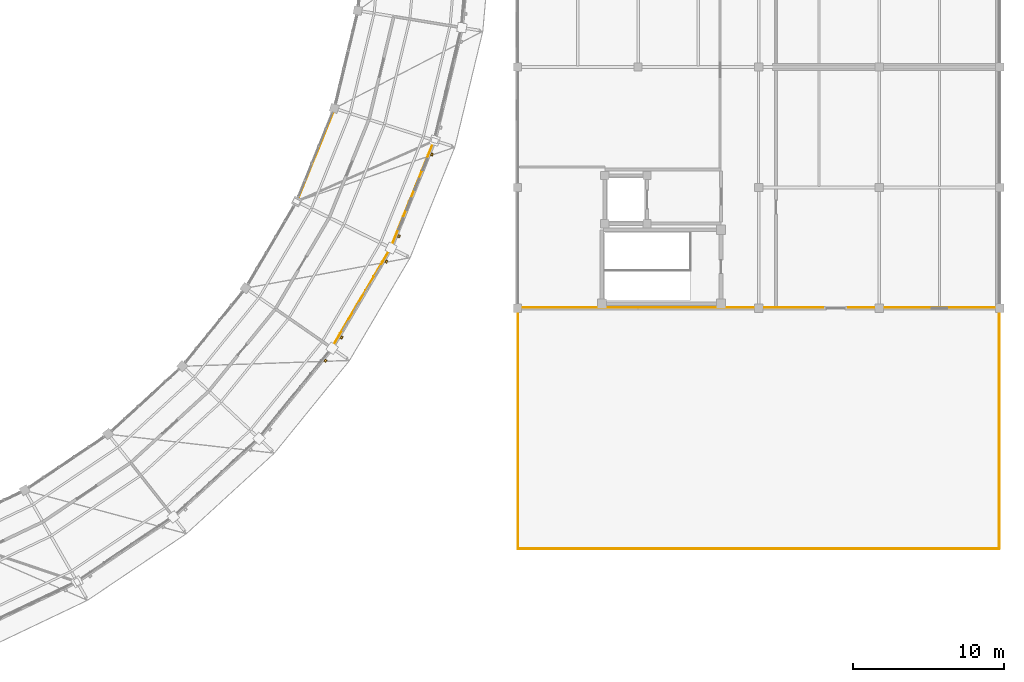
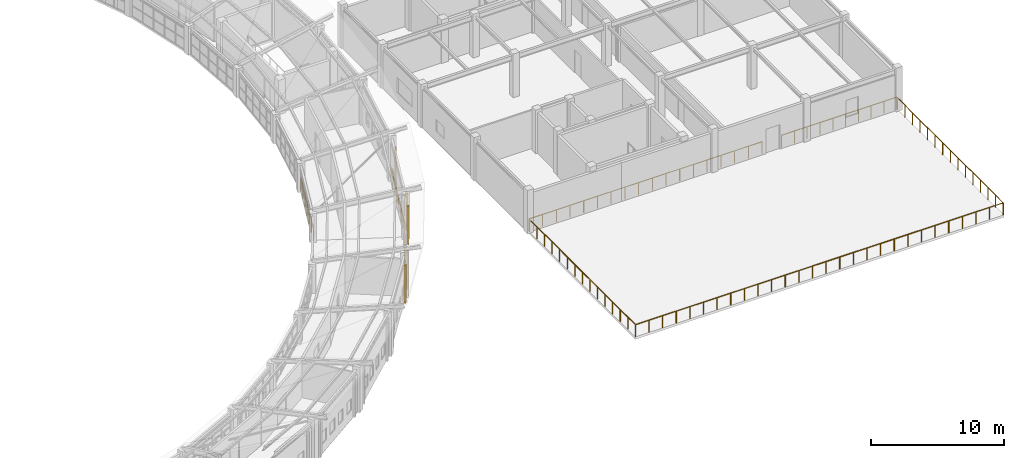
# One storey, part 147 of 149: 8 railings, 5 coverings.
"""IFC4 building model written with IfcOpenShell, lengths in metres."""

import ifcopenshell
import ifcopenshell.guid

model = None  # the IFC model being written
_history = None  # IfcOwnerHistory: only IFC2X3 demands one
_inside = {}  # id of a spatial element -> (the spatial element, [elements in it])
_under = {}  # id of a project, library or spatial element -> (it, [spatial elements below it])
_declared = {}  # id of a project -> (the project, [libraries it declares])
_typed = {}  # id of a type object -> (the type object, [elements of that type])
_made_of = {}  # id of a material, layer set ... -> (it, [elements and type objects made of it])


def new_model(schema):
    """Start an empty IFC model of exactly this schema.

    Asked for "IFC4X3", IfcOpenShell would pick the latest addendum, in which some entities
    have other attributes; the version numbers below select the first issue.
    IFC2X3 requires an IfcOwnerHistory on every rooted entity: one is made here for all.
    """
    global model, _history
    if schema == "IFC4X3":
        model = ifcopenshell.file(schema_version=(4, 3, 0, 0))
    else:
        model = ifcopenshell.file(schema=schema)
    _inside.clear()
    _under.clear()
    _declared.clear()
    _typed.clear()
    _made_of.clear()
    _history = None
    if model.schema == "IFC2X3":
        org = make("IfcOrganization", Name="unknown")
        user = make(
            "IfcPersonAndOrganization",
            ThePerson=make("IfcPerson", FamilyName="unknown"),
            TheOrganization=org,
        )
        app = make(
            "IfcApplication",
            ApplicationDeveloper=org,
            Version="unknown",
            ApplicationFullName="unknown",
            ApplicationIdentifier="unknown",
        )
        _history = make(
            "IfcOwnerHistory",
            OwningUser=user,
            OwningApplication=app,
            ChangeAction="ADDED",
            CreationDate=0,
        )
    return model


def make(cls, **values):
    """One entity of the class cls with the attributes given. An attribute that is None is left unset."""
    return model.create_entity(
        cls, **{name: value for name, value in values.items() if value is not None}
    )


def rooted(cls, **values):
    """An entity with a GlobalId (a new one), such as an element, a storey or a relation."""
    return make(cls, GlobalId=ifcopenshell.guid.new(), OwnerHistory=_history, **values)


def si_unit(unit_type, name, prefix=None):
    """IfcSIUnit, for example si_unit("LENGTHUNIT", "METRE", prefix="MILLI")."""
    return make("IfcSIUnit", UnitType=unit_type, Prefix=prefix, Name=name)


def assignment(units):
    """IfcUnitAssignment: the units of a project."""
    return None if units is None else make("IfcUnitAssignment", Units=units)


def point(xyz):
    """IfcCartesianPoint."""
    return None if xyz is None else make("IfcCartesianPoint", Coordinates=xyz)


def direction(xyz):
    """IfcDirection."""
    return None if xyz is None else make("IfcDirection", DirectionRatios=xyz)


def frame(location, z_axis=None, x_axis=None):
    """IfcAxis2Placement3D, a coordinate frame: its origin and axes. An axis left out is left unset."""
    return make(
        "IfcAxis2Placement3D",
        Location=point(location),
        Axis=direction(z_axis),
        RefDirection=direction(x_axis),
    )


def frame_2d(location, x_axis=None):
    """IfcAxis2Placement2D, a coordinate frame in the plane: its origin and x axis."""
    return make(
        "IfcAxis2Placement2D", Location=point(location), RefDirection=direction(x_axis)
    )


def origin():
    """The frame at (0, 0, 0) with its axes left unset."""
    return frame((0.0, 0.0, 0.0))


def origin_2d():
    """The frame at (0, 0) in the plane with its x axis left unset."""
    return frame_2d((0.0, 0.0))


def place(relative_to, where):
    """IfcLocalPlacement: puts the frame where relative to a parent placement (None: the world)."""
    return make(
        "IfcLocalPlacement", PlacementRelTo=relative_to, RelativePlacement=where
    )


def context(
    kind, dimensions, precision=None, world=None, true_north=None, identifier=None
):
    """IfcGeometricRepresentationContext, for example the 3D "Model" context."""
    return make(
        "IfcGeometricRepresentationContext",
        ContextIdentifier=identifier,
        ContextType=kind,
        CoordinateSpaceDimension=dimensions,
        Precision=precision,
        WorldCoordinateSystem=world,
        TrueNorth=true_north,
    )


def subcontext(parent, identifier, kind, view, scale=None):
    """IfcGeometricRepresentationSubContext, for example "Body" below "Model"."""
    return make(
        "IfcGeometricRepresentationSubContext",
        ContextIdentifier=identifier,
        ContextType=kind,
        ParentContext=parent,
        TargetScale=scale,
        TargetView=view,
    )


def project(units=None, contexts=None):
    """IfcProject with its units and contexts."""
    return rooted(
        "IfcProject",
        Name="project",
        RepresentationContexts=contexts,
        UnitsInContext=assignment(units),
    )


def spatial(cls, under=None, at=None, **own):
    """A site, building, storey or space (cls), placed at a placement, below another one or the project."""
    s = rooted(cls, ObjectPlacement=at, **own)
    if under is not None:
        _under.setdefault(under.id(), (under, []))[1].append(s)
    return s


def profile(cls, at=None, kind="AREA", **sizes):
    """A parametric profile (cls). Its sizes go by their IFC names, for example OverallWidth=200.0."""
    return make(cls, ProfileType=kind, Position=at, **sizes)


def rectangle(**sizes):
    """IfcRectangleProfileDef."""
    return profile("IfcRectangleProfileDef", **sizes)


def circle(**sizes):
    """IfcCircleProfileDef."""
    return profile("IfcCircleProfileDef", **sizes)


def extrude(swept, where, along, depth):
    """IfcExtrudedAreaSolid: the profile swept, set in the frame where, extruded along a direction by depth."""
    return make(
        "IfcExtrudedAreaSolid",
        SweptArea=swept,
        Position=where,
        ExtrudedDirection=direction(along),
        Depth=depth,
    )


def shape(context_of_items, identifier, shape_type, items):
    """IfcShapeRepresentation: the items that make up one representation, for example the "Body"."""
    return make(
        "IfcShapeRepresentation",
        ContextOfItems=context_of_items,
        RepresentationIdentifier=identifier,
        RepresentationType=shape_type,
        Items=items,
    )


def material(Name=None, Category=None):
    """IfcMaterial."""
    return make("IfcMaterial", Name=Name, Category=Category)


def layer(
    of_material, thickness, ventilated=None, Name=None, Category=None, Priority=None
):
    """IfcMaterialLayer: one layer of a wall or slab, of a material (None: an air gap)."""
    return make(
        "IfcMaterialLayer",
        Material=of_material,
        LayerThickness=thickness,
        IsVentilated=ventilated,
        Name=Name,
        Category=Category,
        Priority=Priority,
    )


def layer_set(layers, Name=None):
    """IfcMaterialLayerSet."""
    return make("IfcMaterialLayerSet", MaterialLayers=layers, LayerSetName=Name)


def made_of(thing, what):
    """Note that an element or type object is made of a material, layer set ...; save() writes the relation."""
    if what is not None:
        _made_of.setdefault(what.id(), (what, []))[1].append(thing)
    return thing


def type_object(cls, material=None, **own):
    """A type object (cls), such as IfcWallType, which elements share."""
    return made_of(rooted(cls, **own), material)


def element(
    cls,
    number,
    at=None,
    inside=None,
    cuts=None,
    type_object=None,
    material=None,
    context=None,
    identifier="Body",
    shape_type=None,
    held_by="IfcProductDefinitionShape",
    body=None,
    shapes=None,
    **own,
):
    """One element of the class cls, such as IfcWall. Its Tag is "e" and its number.

    at: its placement. inside: the storey or other place that contains it. cuts: it is an
    opening in that element (IfcRelVoidsElement). A single representation is given by context,
    identifier, shape_type and body (its items); several are given by shapes. held_by: the class
    of the entity that holds the representations. save() writes the other relations.
    """
    e = rooted(cls, Tag="e%d" % number, ObjectPlacement=at, **own)
    if body is not None:
        shapes = [shape(context, identifier, shape_type, body)]
    if shapes is not None:
        e.Representation = make(held_by, Representations=shapes)
    if inside is not None:
        _inside.setdefault(inside.id(), (inside, []))[1].append(e)
    if cuts is not None:
        rooted(
            "IfcRelVoidsElement", RelatingBuildingElement=cuts, RelatedOpeningElement=e
        )
    if type_object is not None:
        _typed.setdefault(type_object.id(), (type_object, []))[1].append(e)
    return made_of(e, material)


def aggregate(whole, parts):
    """IfcRelAggregates: a whole, such as a stair, and the parts it consists of."""
    return rooted("IfcRelAggregates", RelatingObject=whole, RelatedObjects=parts)


def save(model, path):
    """Write the relations noted so far, then the file.

    IfcRelAggregates (storeys below a building ...), IfcRelContainedInSpatialStructure (elements
    in a storey), IfcRelDefinesByType, IfcRelAssociatesMaterial and IfcRelDeclares: one each for
    every whole, place, type object, material and project.
    """
    for whole, parts in _under.values():
        aggregate(whole, parts)
    for where, things in _inside.values():
        rooted(
            "IfcRelContainedInSpatialStructure",
            RelatedElements=things,
            RelatingStructure=where,
        )
    for kind, things in _typed.values():
        rooted("IfcRelDefinesByType", RelatedObjects=things, RelatingType=kind)
    for what, things in _made_of.values():
        rooted("IfcRelAssociatesMaterial", RelatedObjects=things, RelatingMaterial=what)
    for by, libraries in _declared.values():
        rooted("IfcRelDeclares", RelatingContext=by, RelatedDefinitions=libraries)
    model.write(path)


model = new_model("IFC4")

# Units and contexts
model_context = context("Model", 3, precision=1e-05, world=origin(), true_north=direction((0.0, 1.0)))
body_context = subcontext(model_context, "Body", "Model", "MODEL_VIEW")
ifc_project = project(units=[si_unit("LENGTHUNIT", "METRE"), si_unit("AREAUNIT", "SQUARE_METRE"), si_unit("VOLUMEUNIT", "CUBIC_METRE"), si_unit("PLANEANGLEUNIT", "RADIAN"), si_unit("MASSUNIT", "GRAM", prefix="KILO")], contexts=[model_context])

# Site, building, storey
site_placement = place(None, origin())
site = spatial("IfcSite", under=ifc_project, at=site_placement, CompositionType="ELEMENT")
building_placement = place(site_placement, origin())
building = spatial("IfcBuilding", under=site, at=building_placement, Name="Celadon Cloister-Ring School", CompositionType="ELEMENT")
storey_placement = place(building_placement, frame((0.0, 0.0, 12.5)))
storey = spatial("IfcBuildingStorey", under=building, at=storey_placement, Name="L03", CompositionType="ELEMENT", Elevation=12.5)

# Coverings
ifc_material_1 = material(Name="Perforated terracotta clay brick masonry", Category="masonry")
ifc_layer = layer(ifc_material_1, 0.139892578125)
ifc_layer_set = layer_set([ifc_layer], Name="Perforated terracotta clay brick masonry")
covering_type = type_object("IfcCoveringType", Name="CV-SC1", PredefinedType="CLADDING", material=ifc_layer_set)
for number, where, z_axis, x_axis, name in (
    (1, (129.26611328125, 28.510009765625, -0.00048828125), (0.0, 0.0, 1.0), (-0.629605187645, -0.776915251292, 0.0), "Brick Screen Rib 0392"),
    (2, (133.306884765625, 35.089111328125, -0.00048828125), (0.0, 0.0, 1.0), (-0.507944339768, -0.861389892962, 0.0), "Brick Screen Rib 0394"),
    (3, (130.3349609375, 30.050048828125, -0.00048828125), (0.0, 0.0, 1.0), (-0.507944339768, -0.861389892962, 0.0), "Brick Screen Rib 0395"),
    (4, (136.3310546875, 42.193115234375, -0.00048828125), (0.0, 0.0, 1.0), (-0.375043476904, -0.927007222427, 0.0), "Brick Screen Rib 0396"),
    (5, (134.136962890625, 36.77001953125, -0.00048828125), (0.0, 0.0, 1.0), (-0.375043476904, -0.927007222427, 0.0), "Brick Screen Rib 0397"),
):
    element("IfcCovering", number, at=place(storey_placement, frame(where, z_axis=z_axis, x_axis=x_axis)), inside=storey, type_object=covering_type, Name=name, PredefinedType="CLADDING", context=body_context, shape_type="SweptSolid", body=[
        extrude(rectangle(XDim=0.179931640625, YDim=0.139892578125, at=origin_2d()), origin(), (0.0, 0.0, 1.0), 3.51708984375),
    ])

# Railings
ifc_material_2 = material(Name="Structural steel S355JR", Category="steel")
railing_type = type_object("IfcRailingType", Name="RL-BL1", PredefinedType="BALUSTRADE", material=ifc_material_2)
railing_1_placement = place(storey_placement, frame((129.678955078125, 29.364013671875, 0.0)))
element("IfcRailing", 6, at=railing_1_placement, inside=storey, type_object=railing_type, Name="Terrace Balustrade 0169", PredefinedType="BALUSTRADE", context=body_context, shape_type="SweptSolid", body=[
    extrude(circle(Radius=0.02392578125, at=origin_2d()), frame((0.0, 0.0, 1.09619140625), z_axis=(0.508006743226, 0.861353091848, 0.0), x_axis=(-0.861353091848, 0.508006743226, 0.0)), (0.0, 0.0, 1.0), 7.697021484375),
    extrude(circle(Radius=0.02099609375, at=origin_2d()), origin(), (0.0, 0.0, 1.0), 1.072021484375),
    extrude(circle(Radius=0.02099609375, at=origin_2d()), frame((0.55859375, 0.947021484375, 0.0)), (0.0, 0.0, 1.0), 1.072021484375),
    extrude(circle(Radius=0.02099609375, at=origin_2d()), frame((1.1171875, 1.894287109375, 0.0)), (0.0, 0.0, 1.0), 1.072021484375),
    extrude(circle(Radius=0.02099609375, at=origin_2d()), frame((1.67578125, 2.84130859375, 0.0)), (0.0, 0.0, 1.0), 1.072021484375),
    extrude(circle(Radius=0.02099609375, at=origin_2d()), frame((2.234375, 3.78857421875, 0.0)), (0.0, 0.0, 1.0), 1.072021484375),
    extrude(circle(Radius=0.02099609375, at=origin_2d()), frame((2.79296875, 4.735595703125, 0.0)), (0.0, 0.0, 1.0), 1.072021484375),
    extrude(circle(Radius=0.02099609375, at=origin_2d()), frame((3.3515625, 5.682861328125, 0.0)), (0.0, 0.0, 1.0), 1.072021484375),
    extrude(circle(Radius=0.02099609375, at=origin_2d()), frame((3.91015625, 6.6298828125, 0.0)), (0.0, 0.0, 1.0), 1.072021484375),
])
railing_2_placement = place(storey_placement, frame((133.589111328125, 35.993896484375, 0.0)))
element("IfcRailing", 7, at=railing_2_placement, inside=storey, type_object=railing_type, Name="Terrace Balustrade 0170", PredefinedType="BALUSTRADE", context=body_context, shape_type="SweptSolid", body=[
    extrude(circle(Radius=0.02392578125, at=origin_2d()), frame((0.0, 0.0, 1.09619140625), z_axis=(0.375144097263, 0.926966507641, 0.0), x_axis=(-0.926966507641, 0.375144097263, 0.0)), (0.0, 0.0, 1.0), 7.6982421875),
    extrude(circle(Radius=0.02099609375, at=origin_2d()), origin(), (0.0, 0.0, 1.0), 1.072021484375),
    extrude(circle(Radius=0.02099609375, at=origin_2d()), frame((0.41259765625, 1.01953125, 0.0)), (0.0, 0.0, 1.0), 1.072021484375),
    extrude(circle(Radius=0.02099609375, at=origin_2d()), frame((0.8251953125, 2.038818359375, 0.0)), (0.0, 0.0, 1.0), 1.072021484375),
    extrude(circle(Radius=0.02099609375, at=origin_2d()), frame((1.23779296875, 3.058349609375, 0.0)), (0.0, 0.0, 1.0), 1.072021484375),
    extrude(circle(Radius=0.02099609375, at=origin_2d()), frame((1.650146484375, 4.07763671875, 0.0)), (0.0, 0.0, 1.0), 1.072021484375),
    extrude(circle(Radius=0.02099609375, at=origin_2d()), frame((2.062744140625, 5.09716796875, 0.0)), (0.0, 0.0, 1.0), 1.072021484375),
    extrude(circle(Radius=0.02099609375, at=origin_2d()), frame((2.475341796875, 6.116455078125, 0.0)), (0.0, 0.0, 1.0), 1.072021484375),
    extrude(circle(Radius=0.02099609375, at=origin_2d()), frame((2.887939453125, 7.135986328125, 0.0)), (0.0, 0.0, 1.0), 1.072021484375),
])
railing_3_placement = place(storey_placement, frame((127.385009765625, 39.05810546875, 0.0)))
element("IfcRailing", 8, at=railing_3_placement, inside=storey, type_object=railing_type, Name="Terrace Balustrade 0205", PredefinedType="BALUSTRADE", context=body_context, shape_type="SweptSolid", body=[
    extrude(circle(Radius=0.02392578125, at=origin_2d()), frame((0.0, 0.0, 1.09619140625), z_axis=(0.375135116183, 0.926970142241, 0.0), x_axis=(-0.926970142241, 0.375135116183, 0.0)), (0.0, 0.0, 1.0), 6.672119140625),
    extrude(circle(Radius=0.02099609375, at=origin_2d()), origin(), (0.0, 0.0, 1.0), 1.072021484375),
    extrude(circle(Radius=0.02099609375, at=origin_2d()), frame((0.417236328125, 1.03076171875, 0.0)), (0.0, 0.0, 1.0), 1.072021484375),
    extrude(circle(Radius=0.02099609375, at=origin_2d()), frame((0.834228515625, 2.0615234375, 0.0)), (0.0, 0.0, 1.0), 1.072021484375),
    extrude(circle(Radius=0.02099609375, at=origin_2d()), frame((1.25146484375, 3.09228515625, 0.0)), (0.0, 0.0, 1.0), 1.072021484375),
    extrude(circle(Radius=0.02099609375, at=origin_2d()), frame((1.668701171875, 4.123291015625, 0.0)), (0.0, 0.0, 1.0), 1.072021484375),
    extrude(circle(Radius=0.02099609375, at=origin_2d()), frame((2.085693359375, 5.154052734375, 0.0)), (0.0, 0.0, 1.0), 1.072021484375),
    extrude(circle(Radius=0.02099609375, at=origin_2d()), frame((2.5029296875, 6.184814453125, 0.0)), (0.0, 0.0, 1.0), 1.072021484375),
])
railing_4_placement = place(storey_placement, frame((142.0400390625, 31.9599609375, 0.0)))
element("IfcRailing", 9, at=railing_4_placement, inside=storey, type_object=railing_type, Name="Terrace Balustrade 0436", PredefinedType="BALUSTRADE", context=body_context, shape_type="SweptSolid", body=[
    extrude(circle(Radius=0.02392578125, at=origin_2d()), frame((0.0, 0.0, 1.09619140625), z_axis=(0.0, -1.0, 0.0), x_axis=(1.0, 0.0, 0.0)), (0.0, 0.0, 1.0), 15.919921875),
    extrude(circle(Radius=0.02099609375, at=origin_2d()), origin(), (0.0, 0.0, 1.0), 1.072021484375),
    extrude(circle(Radius=0.02099609375, at=origin_2d()), frame((0.0, -1.13720703125, 0.0)), (0.0, 0.0, 1.0), 1.072021484375),
    extrude(circle(Radius=0.02099609375, at=origin_2d()), frame((0.0, -2.274169921875, 0.0)), (0.0, 0.0, 1.0), 1.072021484375),
    extrude(circle(Radius=0.02099609375, at=origin_2d()), frame((0.0, -3.411376953125, 0.0)), (0.0, 0.0, 1.0), 1.072021484375),
    extrude(circle(Radius=0.02099609375, at=origin_2d()), frame((0.0, -4.548583984375, 0.0)), (0.0, 0.0, 1.0), 1.072021484375),
    extrude(circle(Radius=0.02099609375, at=origin_2d()), frame((0.0, -5.685791015625, 0.0)), (0.0, 0.0, 1.0), 1.072021484375),
    extrude(circle(Radius=0.02099609375, at=origin_2d()), frame((0.0, -6.82275390625, 0.0)), (0.0, 0.0, 1.0), 1.072021484375),
    extrude(circle(Radius=0.02099609375, at=origin_2d()), frame((0.0, -7.9599609375, 0.0)), (0.0, 0.0, 1.0), 1.072021484375),
    extrude(circle(Radius=0.02099609375, at=origin_2d()), frame((0.0, -9.09716796875, 0.0)), (0.0, 0.0, 1.0), 1.072021484375),
    extrude(circle(Radius=0.02099609375, at=origin_2d()), frame((0.0, -10.234130859375, 0.0)), (0.0, 0.0, 1.0), 1.072021484375),
    extrude(circle(Radius=0.02099609375, at=origin_2d()), frame((0.0, -11.371337890625, 0.0)), (0.0, 0.0, 1.0), 1.072021484375),
    extrude(circle(Radius=0.02099609375, at=origin_2d()), frame((0.0, -12.508544921875, 0.0)), (0.0, 0.0, 1.0), 1.072021484375),
    extrude(circle(Radius=0.02099609375, at=origin_2d()), frame((0.0, -13.645751953125, 0.0)), (0.0, 0.0, 1.0), 1.072021484375),
    extrude(circle(Radius=0.02099609375, at=origin_2d()), frame((0.0, -14.78271484375, 0.0)), (0.0, 0.0, 1.0), 1.072021484375),
    extrude(circle(Radius=0.02099609375, at=origin_2d()), frame((0.0, -15.919921875, 0.0)), (0.0, 0.0, 1.0), 1.072021484375),
])
railing_5_placement = place(storey_placement, frame((142.0400390625, 16.0400390625, 0.0)))
element("IfcRailing", 10, at=railing_5_placement, inside=storey, type_object=railing_type, Name="Terrace Balustrade 0437", PredefinedType="BALUSTRADE", context=body_context, shape_type="SweptSolid", body=[
    extrude(circle(Radius=0.02392578125, at=origin_2d()), frame((0.0, 0.0, 1.09619140625), z_axis=(1.0, 0.0, 0.0), x_axis=(0.0, 1.0, 0.0)), (0.0, 0.0, 1.0), 31.919921875),
    extrude(circle(Radius=0.02099609375, at=origin_2d()), origin(), (0.0, 0.0, 1.0), 1.072021484375),
    extrude(circle(Radius=0.02099609375, at=origin_2d()), frame((1.18212890625, 0.0, 0.0)), (0.0, 0.0, 1.0), 1.072021484375),
    extrude(circle(Radius=0.02099609375, at=origin_2d()), frame((2.364501953125, 0.0, 0.0)), (0.0, 0.0, 1.0), 1.072021484375),
    extrude(circle(Radius=0.02099609375, at=origin_2d()), frame((3.546630859375, 0.0, 0.0)), (0.0, 0.0, 1.0), 1.072021484375),
    extrude(circle(Radius=0.02099609375, at=origin_2d()), frame((4.728759765625, 0.0, 0.0)), (0.0, 0.0, 1.0), 1.072021484375),
    extrude(circle(Radius=0.02099609375, at=origin_2d()), frame((5.9111328125, 0.0, 0.0)), (0.0, 0.0, 1.0), 1.072021484375),
    extrude(circle(Radius=0.02099609375, at=origin_2d()), frame((7.09326171875, 0.0, 0.0)), (0.0, 0.0, 1.0), 1.072021484375),
    extrude(circle(Radius=0.02099609375, at=origin_2d()), frame((8.275634765625, 0.0, 0.0)), (0.0, 0.0, 1.0), 1.072021484375),
    extrude(circle(Radius=0.02099609375, at=origin_2d()), frame((9.457763671875, 0.0, 0.0)), (0.0, 0.0, 1.0), 1.072021484375),
    extrude(circle(Radius=0.02099609375, at=origin_2d()), frame((10.639892578125, 0.0, 0.0)), (0.0, 0.0, 1.0), 1.072021484375),
    extrude(circle(Radius=0.02099609375, at=origin_2d()), frame((11.822265625, 0.0, 0.0)), (0.0, 0.0, 1.0), 1.072021484375),
    extrude(circle(Radius=0.02099609375, at=origin_2d()), frame((13.00439453125, 0.0, 0.0)), (0.0, 0.0, 1.0), 1.072021484375),
    extrude(circle(Radius=0.02099609375, at=origin_2d()), frame((14.1865234375, 0.0, 0.0)), (0.0, 0.0, 1.0), 1.072021484375),
    extrude(circle(Radius=0.02099609375, at=origin_2d()), frame((15.368896484375, 0.0, 0.0)), (0.0, 0.0, 1.0), 1.072021484375),
    extrude(circle(Radius=0.02099609375, at=origin_2d()), frame((16.551025390625, 0.0, 0.0)), (0.0, 0.0, 1.0), 1.072021484375),
    extrude(circle(Radius=0.02099609375, at=origin_2d()), frame((17.7333984375, 0.0, 0.0)), (0.0, 0.0, 1.0), 1.072021484375),
    extrude(circle(Radius=0.02099609375, at=origin_2d()), frame((18.91552734375, 0.0, 0.0)), (0.0, 0.0, 1.0), 1.072021484375),
    extrude(circle(Radius=0.02099609375, at=origin_2d()), frame((20.09765625, 0.0, 0.0)), (0.0, 0.0, 1.0), 1.072021484375),
    extrude(circle(Radius=0.02099609375, at=origin_2d()), frame((21.280029296875, 0.0, 0.0)), (0.0, 0.0, 1.0), 1.072021484375),
    extrude(circle(Radius=0.02099609375, at=origin_2d()), frame((22.462158203125, 0.0, 0.0)), (0.0, 0.0, 1.0), 1.072021484375),
    extrude(circle(Radius=0.02099609375, at=origin_2d()), frame((23.644287109375, 0.0, 0.0)), (0.0, 0.0, 1.0), 1.072021484375),
    extrude(circle(Radius=0.02099609375, at=origin_2d()), frame((24.82666015625, 0.0, 0.0)), (0.0, 0.0, 1.0), 1.072021484375),
    extrude(circle(Radius=0.02099609375, at=origin_2d()), frame((26.0087890625, 0.0, 0.0)), (0.0, 0.0, 1.0), 1.072021484375),
    extrude(circle(Radius=0.02099609375, at=origin_2d()), frame((27.191162109375, 0.0, 0.0)), (0.0, 0.0, 1.0), 1.072021484375),
    extrude(circle(Radius=0.02099609375, at=origin_2d()), frame((28.373291015625, 0.0, 0.0)), (0.0, 0.0, 1.0), 1.072021484375),
    extrude(circle(Radius=0.02099609375, at=origin_2d()), frame((29.555419921875, 0.0, 0.0)), (0.0, 0.0, 1.0), 1.072021484375),
    extrude(circle(Radius=0.02099609375, at=origin_2d()), frame((30.73779296875, 0.0, 0.0)), (0.0, 0.0, 1.0), 1.072021484375),
    extrude(circle(Radius=0.02099609375, at=origin_2d()), frame((31.919921875, 0.0, 0.0)), (0.0, 0.0, 1.0), 1.072021484375),
])
railing_6_placement = place(storey_placement, frame((173.9599609375, 16.0400390625, 0.0)))
element("IfcRailing", 11, at=railing_6_placement, inside=storey, type_object=railing_type, Name="Terrace Balustrade 0438", PredefinedType="BALUSTRADE", context=body_context, shape_type="SweptSolid", body=[
    extrude(circle(Radius=0.02392578125, at=origin_2d()), frame((0.0, 0.0, 1.09619140625), z_axis=(0.0, 1.0, 0.0), x_axis=(-1.0, 0.0, 0.0)), (0.0, 0.0, 1.0), 15.919921875),
    extrude(circle(Radius=0.02099609375, at=origin_2d()), origin(), (0.0, 0.0, 1.0), 1.072021484375),
    extrude(circle(Radius=0.02099609375, at=origin_2d()), frame((0.0, 1.13720703125, 0.0)), (0.0, 0.0, 1.0), 1.072021484375),
    extrude(circle(Radius=0.02099609375, at=origin_2d()), frame((0.0, 2.274169921875, 0.0)), (0.0, 0.0, 1.0), 1.072021484375),
    extrude(circle(Radius=0.02099609375, at=origin_2d()), frame((0.0, 3.411376953125, 0.0)), (0.0, 0.0, 1.0), 1.072021484375),
    extrude(circle(Radius=0.02099609375, at=origin_2d()), frame((0.0, 4.548583984375, 0.0)), (0.0, 0.0, 1.0), 1.072021484375),
    extrude(circle(Radius=0.02099609375, at=origin_2d()), frame((0.0, 5.685791015625, 0.0)), (0.0, 0.0, 1.0), 1.072021484375),
    extrude(circle(Radius=0.02099609375, at=origin_2d()), frame((0.0, 6.82275390625, 0.0)), (0.0, 0.0, 1.0), 1.072021484375),
    extrude(circle(Radius=0.02099609375, at=origin_2d()), frame((0.0, 7.9599609375, 0.0)), (0.0, 0.0, 1.0), 1.072021484375),
    extrude(circle(Radius=0.02099609375, at=origin_2d()), frame((0.0, 9.09716796875, 0.0)), (0.0, 0.0, 1.0), 1.072021484375),
    extrude(circle(Radius=0.02099609375, at=origin_2d()), frame((0.0, 10.234130859375, 0.0)), (0.0, 0.0, 1.0), 1.072021484375),
    extrude(circle(Radius=0.02099609375, at=origin_2d()), frame((0.0, 11.371337890625, 0.0)), (0.0, 0.0, 1.0), 1.072021484375),
    extrude(circle(Radius=0.02099609375, at=origin_2d()), frame((0.0, 12.508544921875, 0.0)), (0.0, 0.0, 1.0), 1.072021484375),
    extrude(circle(Radius=0.02099609375, at=origin_2d()), frame((0.0, 13.645751953125, 0.0)), (0.0, 0.0, 1.0), 1.072021484375),
    extrude(circle(Radius=0.02099609375, at=origin_2d()), frame((0.0, 14.78271484375, 0.0)), (0.0, 0.0, 1.0), 1.072021484375),
    extrude(circle(Radius=0.02099609375, at=origin_2d()), frame((0.0, 15.919921875, 0.0)), (0.0, 0.0, 1.0), 1.072021484375),
])
railing_7_placement = place(storey_placement, frame((173.9599609375, 32.0400390625, 0.0)))
element("IfcRailing", 12, at=railing_7_placement, inside=storey, type_object=railing_type, Name="Terrace Balustrade 0442", PredefinedType="BALUSTRADE", context=body_context, shape_type="SweptSolid", body=[
    extrude(circle(Radius=0.02392578125, at=origin_2d()), frame((0.0, 0.0, 1.09619140625), z_axis=(-1.0, 0.0, 0.0), x_axis=(0.0, -1.0, 0.0)), (0.0, 0.0, 1.0), 9.994873046875),
    extrude(circle(Radius=0.02099609375, at=origin_2d()), origin(), (0.0, 0.0, 1.0), 1.072021484375),
    extrude(circle(Radius=0.02099609375, at=origin_2d()), frame((-1.110595703125, 0.0, 0.0)), (0.0, 0.0, 1.0), 1.072021484375),
    extrude(circle(Radius=0.02099609375, at=origin_2d()), frame((-2.22119140625, 0.0, 0.0)), (0.0, 0.0, 1.0), 1.072021484375),
    extrude(circle(Radius=0.02099609375, at=origin_2d()), frame((-3.33154296875, 0.0, 0.0)), (0.0, 0.0, 1.0), 1.072021484375),
    extrude(circle(Radius=0.02099609375, at=origin_2d()), frame((-4.442138671875, 0.0, 0.0)), (0.0, 0.0, 1.0), 1.072021484375),
    extrude(circle(Radius=0.02099609375, at=origin_2d()), frame((-5.552734375, 0.0, 0.0)), (0.0, 0.0, 1.0), 1.072021484375),
    extrude(circle(Radius=0.02099609375, at=origin_2d()), frame((-6.663330078125, 0.0, 0.0)), (0.0, 0.0, 1.0), 1.072021484375),
    extrude(circle(Radius=0.02099609375, at=origin_2d()), frame((-7.773681640625, 0.0, 0.0)), (0.0, 0.0, 1.0), 1.072021484375),
    extrude(circle(Radius=0.02099609375, at=origin_2d()), frame((-8.88427734375, 0.0, 0.0)), (0.0, 0.0, 1.0), 1.072021484375),
    extrude(circle(Radius=0.02099609375, at=origin_2d()), frame((-9.994873046875, 0.0, 0.0)), (0.0, 0.0, 1.0), 1.072021484375),
])
railing_8_placement = place(storey_placement, frame((162.26904296875, 32.0400390625, 0.0)))
element("IfcRailing", 13, at=railing_8_placement, inside=storey, type_object=railing_type, Name="Terrace Balustrade 0443", PredefinedType="BALUSTRADE", context=body_context, shape_type="SweptSolid", body=[
    extrude(circle(Radius=0.02392578125, at=origin_2d()), frame((0.0, 0.0, 1.09619140625), z_axis=(-1.0, 0.0, 0.0), x_axis=(0.0, -1.0, 0.0)), (0.0, 0.0, 1.0), 20.22900390625),
    extrude(circle(Radius=0.02099609375, at=origin_2d()), origin(), (0.0, 0.0, 1.0), 1.072021484375),
    extrude(circle(Radius=0.02099609375, at=origin_2d()), frame((-1.18994140625, 0.0, 0.0)), (0.0, 0.0, 1.0), 1.072021484375),
    extrude(circle(Radius=0.02099609375, at=origin_2d()), frame((-2.3798828125, 0.0, 0.0)), (0.0, 0.0, 1.0), 1.072021484375),
    extrude(circle(Radius=0.02099609375, at=origin_2d()), frame((-3.56982421875, 0.0, 0.0)), (0.0, 0.0, 1.0), 1.072021484375),
    extrude(circle(Radius=0.02099609375, at=origin_2d()), frame((-4.759765625, 0.0, 0.0)), (0.0, 0.0, 1.0), 1.072021484375),
    extrude(circle(Radius=0.02099609375, at=origin_2d()), frame((-5.94970703125, 0.0, 0.0)), (0.0, 0.0, 1.0), 1.072021484375),
    extrude(circle(Radius=0.02099609375, at=origin_2d()), frame((-7.1396484375, 0.0, 0.0)), (0.0, 0.0, 1.0), 1.072021484375),
    extrude(circle(Radius=0.02099609375, at=origin_2d()), frame((-8.32958984375, 0.0, 0.0)), (0.0, 0.0, 1.0), 1.072021484375),
    extrude(circle(Radius=0.02099609375, at=origin_2d()), frame((-9.51953125, 0.0, 0.0)), (0.0, 0.0, 1.0), 1.072021484375),
    extrude(circle(Radius=0.02099609375, at=origin_2d()), frame((-10.70947265625, 0.0, 0.0)), (0.0, 0.0, 1.0), 1.072021484375),
    extrude(circle(Radius=0.02099609375, at=origin_2d()), frame((-11.8994140625, 0.0, 0.0)), (0.0, 0.0, 1.0), 1.072021484375),
    extrude(circle(Radius=0.02099609375, at=origin_2d()), frame((-13.08935546875, 0.0, 0.0)), (0.0, 0.0, 1.0), 1.072021484375),
    extrude(circle(Radius=0.02099609375, at=origin_2d()), frame((-14.279296875, 0.0, 0.0)), (0.0, 0.0, 1.0), 1.072021484375),
    extrude(circle(Radius=0.02099609375, at=origin_2d()), frame((-15.46923828125, 0.0, 0.0)), (0.0, 0.0, 1.0), 1.072021484375),
    extrude(circle(Radius=0.02099609375, at=origin_2d()), frame((-16.6591796875, 0.0, 0.0)), (0.0, 0.0, 1.0), 1.072021484375),
    extrude(circle(Radius=0.02099609375, at=origin_2d()), frame((-17.84912109375, 0.0, 0.0)), (0.0, 0.0, 1.0), 1.072021484375),
    extrude(circle(Radius=0.02099609375, at=origin_2d()), frame((-19.0390625, 0.0, 0.0)), (0.0, 0.0, 1.0), 1.072021484375),
    extrude(circle(Radius=0.02099609375, at=origin_2d()), frame((-20.22900390625, 0.0, 0.0)), (0.0, 0.0, 1.0), 1.072021484375),
])

save(model, "model.ifc")
